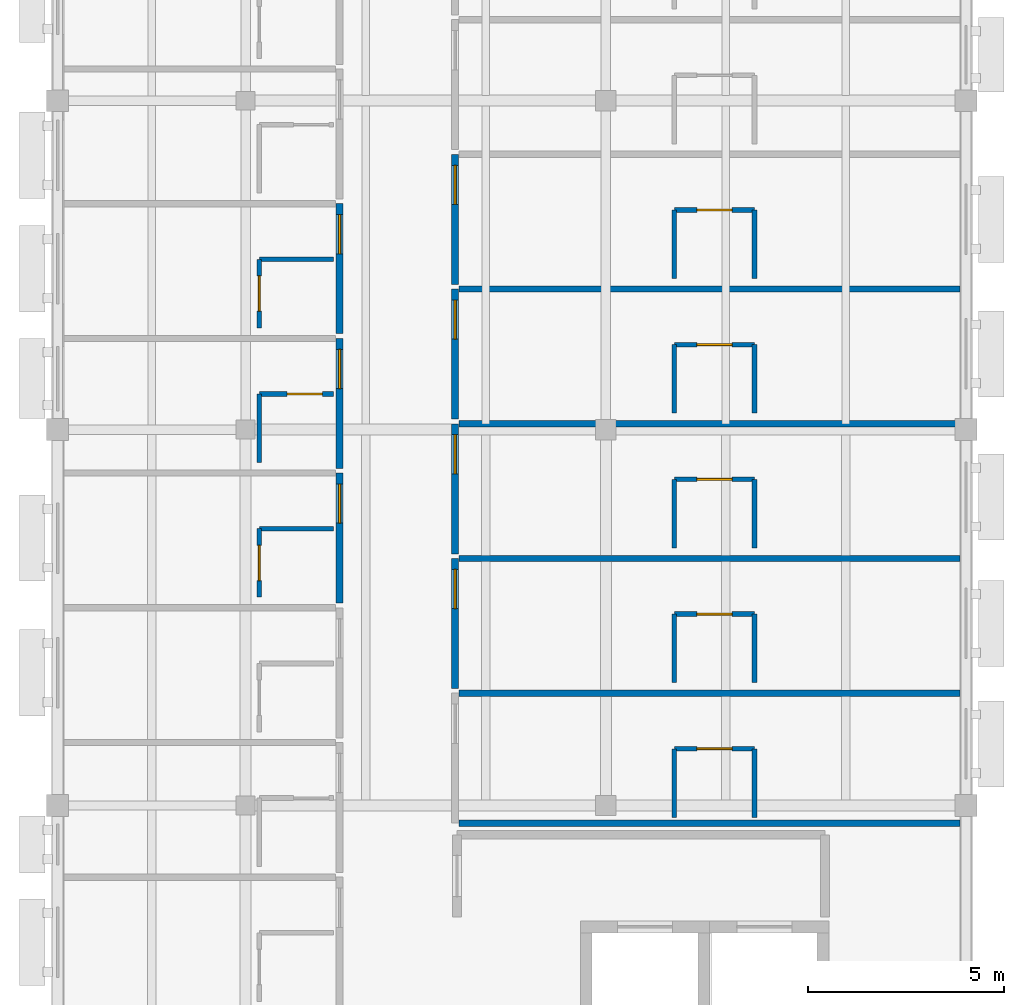
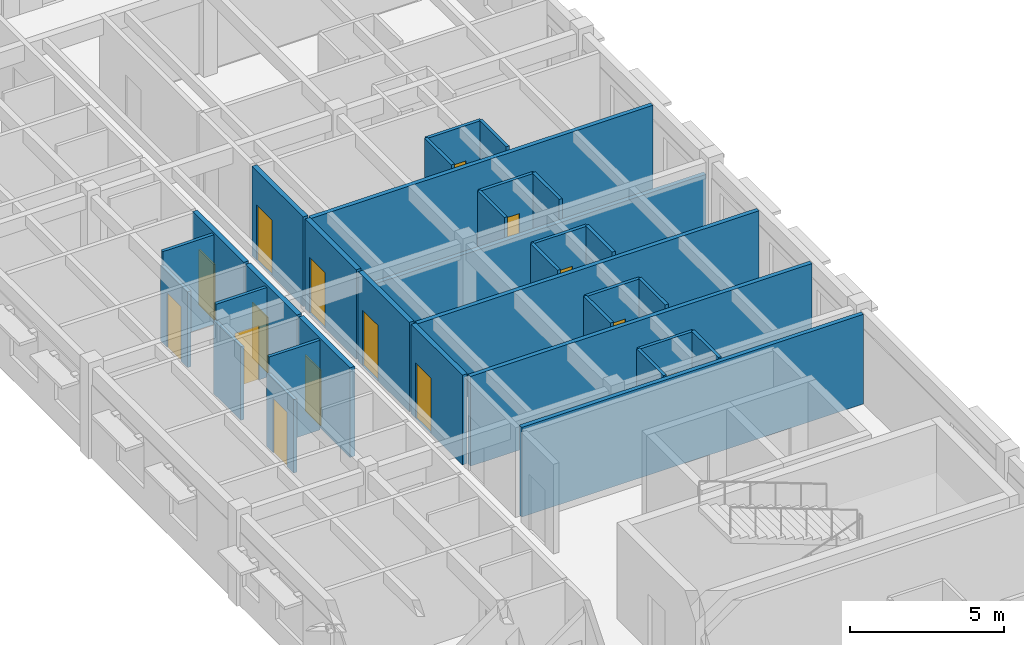
# One storey, part 14 of 31: 33 walls, 15 doors, 15 openings.
"""IFC4 building model written with IfcOpenShell, lengths in metres."""

from ifc_helpers import new_model, si_unit, direction, frame, frame_2d, origin, place, context, subcontext, project, spatial, rectangle, extrude, material, layer, layer_set, type_object, element, fill, save


model = new_model("IFC4")

# Units and contexts
model_context = context("Model", 3, precision=1e-05, world=origin(), true_north=direction((0.0, 1.0)))
body_context = subcontext(model_context, "Body", "Model", "MODEL_VIEW")
ifc_project = project(units=[si_unit("LENGTHUNIT", "METRE"), si_unit("AREAUNIT", "SQUARE_METRE"), si_unit("VOLUMEUNIT", "CUBIC_METRE"), si_unit("PLANEANGLEUNIT", "RADIAN"), si_unit("MASSUNIT", "GRAM", prefix="KILO")], contexts=[model_context])

# Site, building, storey
site_placement = place(None, origin())
site = spatial("IfcSite", under=ifc_project, at=site_placement, CompositionType="ELEMENT")
building_placement = place(site_placement, origin())
building = spatial("IfcBuilding", under=site, at=building_placement, Name="Veldera Park Congress Hotel", CompositionType="ELEMENT")
storey_placement = place(building_placement, frame((0.0, 0.0, 20.0)))
storey = spatial("IfcBuildingStorey", under=building, at=storey_placement, Name="L04", CompositionType="ELEMENT", Elevation=20.0)

# Wall, opening, door
ifc_material_1 = material(Name="Fire-Rated Gypsum Board on Cold-Formed Steel Studs", Category="steel")
ifc_layer_1 = layer(ifc_material_1, 0.1201171875)
ifc_layer_set_1 = layer_set([ifc_layer_1], Name="Fire-Rated Gypsum Board on Cold-Formed Steel Studs")
wall_type_1 = type_object("IfcWallType", Name="IW-BATH120", PredefinedType="PARTITIONING", material=ifc_layer_set_1)
wall_1_placement = place(storey_placement, frame((65.949951171875, 5.919921875, 0.0), z_axis=(0.0, 0.0, 1.0), x_axis=(0.0, 1.0, 0.0)))
wall_1 = element("IfcWall", 1, at=wall_1_placement, inside=storey, type_object=wall_type_1, Name="L04 Partition Wall IW3-L04-00857", PredefinedType="PARTITIONING", context=body_context, shape_type="SweptSolid", body=[
    extrude(rectangle(XDim=1.75, YDim=0.1201171875, at=frame_2d((0.875, 0.0))), origin(), (0.0, 0.0, 1.0), 2.905029296875),
])
opening_1_placement = place(wall_1_placement, frame((0.425048828125, 0.0, 0.0)))
opening_1 = element("IfcOpeningElement", 2, at=opening_1_placement, cuts=wall_1, Name="Opening ID-BATH090", PredefinedType="OPENING", context=body_context, shape_type="SweptSolid", body=[
    extrude(rectangle(XDim=0.89990234375, YDim=2.14990234375, at=frame_2d((0.449951171875, 1.074951171875))), frame((0.0, 0.072021484375, 0.0), z_axis=(0.0, -1.0, 0.0), x_axis=(1.0, 0.0, 0.0)), (0.0, 0.0, 1.0), 0.14404296875),
])
ifc_material_2 = material(Name="Solid Core White Oak Architectural Door", Category="wood")
door_type_1 = type_object("IfcDoorType", Name="ID-BATH090", OperationType="NOTDEFINED", PredefinedType="DOOR", material=ifc_material_2)
door_1_placement = place(opening_1_placement, origin())
door_1 = element("IfcDoor", 3, at=door_1_placement, inside=storey, type_object=door_type_1, Name="L04 En-suite 108 Door ID3-L04-0355 (DR3-ID3-L04-0355)", OperationType="SINGLE_SWING_LEFT", OverallHeight=2.14990234375, OverallWidth=0.89990234375, PredefinedType="DOOR", context=body_context, shape_type="SweptSolid", body=[
    extrude(rectangle(XDim=0.89990234375, YDim=2.14990234375, at=frame_2d((0.449951171875, 1.074951171875))), frame((0.0, 0.02490234375, 0.0), z_axis=(0.0, -1.0, 0.0), x_axis=(1.0, 0.0, 0.0)), (0.0, 0.0, 1.0), 0.050048828125),
])
fill(opening_1, door_1)

# Walls
wall_2_placement = place(storey_placement, frame((65.949951171875, 7.669921875, 0.0), z_axis=(0.0, 0.0, 1.0), x_axis=(1.0, 0.0, 0.0)))
element("IfcWall", 4, at=wall_2_placement, inside=storey, type_object=wall_type_1, Name="L04 Partition Wall IW3-L04-00858", PredefinedType="PARTITIONING", context=body_context, shape_type="SweptSolid", body=[
    extrude(rectangle(XDim=1.900146484375, YDim=0.1201171875, at=frame_2d((0.9501953125, 0.0))), origin(), (0.0, 0.0, 1.0), 3.550048828125),
])
wall_3_placement = place(storey_placement, frame((65.949951171875, 9.360107421875, 0.0), z_axis=(0.0, 0.0, 1.0), x_axis=(0.0, 1.0, 0.0)))
element("IfcWall", 5, at=wall_3_placement, inside=storey, type_object=wall_type_1, Name="L04 Partition Wall IW3-L04-00861", PredefinedType="PARTITIONING", context=body_context, shape_type="SweptSolid", body=[
    extrude(rectangle(XDim=1.75, YDim=0.1201171875, at=frame_2d((0.875, 0.0))), origin(), (0.0, 0.0, 1.0), 2.905029296875),
])

# Wall, opening, door
wall_4_placement = place(storey_placement, frame((65.949951171875, 11.110107421875, 0.0), z_axis=(0.0, 0.0, 1.0), x_axis=(1.0, 0.0, 0.0)))
wall_4 = element("IfcWall", 6, at=wall_4_placement, inside=storey, type_object=wall_type_1, Name="L04 Partition Wall IW3-L04-00862", PredefinedType="PARTITIONING", context=body_context, shape_type="SweptSolid", body=[
    extrude(rectangle(XDim=1.900146484375, YDim=0.1201171875, at=frame_2d((0.9501953125, 0.0))), origin(), (0.0, 0.0, 1.0), 3.550048828125),
])
opening_2_placement = place(wall_4_placement, frame((0.708984375, 0.0, 0.0)))
opening_2 = element("IfcOpeningElement", 7, at=opening_2_placement, cuts=wall_4, Name="Opening ID-BATH090", PredefinedType="OPENING", context=body_context, shape_type="SweptSolid", body=[
    extrude(rectangle(XDim=0.89990234375, YDim=2.14990234375, at=frame_2d((0.449951171875, 1.074951171875))), frame((0.0, 0.072021484375, 0.0), z_axis=(0.0, -1.0, 0.0), x_axis=(1.0, 0.0, 0.0)), (0.0, 0.0, 1.0), 0.14404296875),
])
door_2_placement = place(opening_2_placement, origin())
door_2 = element("IfcDoor", 8, at=door_2_placement, inside=storey, type_object=door_type_1, Name="L04 En-suite 109 Door ID3-L04-0357 (DR3-ID3-L04-0357)", OperationType="SINGLE_SWING_LEFT", OverallHeight=2.14990234375, OverallWidth=0.89990234375, PredefinedType="DOOR", context=body_context, shape_type="SweptSolid", body=[
    extrude(rectangle(XDim=0.89990234375, YDim=2.14990234375, at=frame_2d((0.449951171875, 1.074951171875))), frame((0.0, 0.02490234375, 0.0), z_axis=(0.0, -1.0, 0.0), x_axis=(1.0, 0.0, 0.0)), (0.0, 0.0, 1.0), 0.050048828125),
])
fill(opening_2, door_2)

wall_5_placement = place(storey_placement, frame((65.949951171875, 12.800048828125, 0.0), z_axis=(0.0, 0.0, 1.0), x_axis=(0.0, 1.0, 0.0)))
wall_5 = element("IfcWall", 9, at=wall_5_placement, inside=storey, type_object=wall_type_1, Name="L04 Partition Wall IW3-L04-00865", PredefinedType="PARTITIONING", context=body_context, shape_type="SweptSolid", body=[
    extrude(rectangle(XDim=1.75, YDim=0.1201171875, at=frame_2d((0.875, 0.0))), origin(), (0.0, 0.0, 1.0), 3.0048828125),
])
opening_3_placement = place(wall_5_placement, frame((0.425048828125, 0.0, 0.0)))
opening_3 = element("IfcOpeningElement", 10, at=opening_3_placement, cuts=wall_5, Name="Opening ID-BATH090", PredefinedType="OPENING", context=body_context, shape_type="SweptSolid", body=[
    extrude(rectangle(XDim=0.89990234375, YDim=2.14990234375, at=frame_2d((0.449951171875, 1.074951171875))), frame((0.0, 0.072021484375, 0.0), z_axis=(0.0, -1.0, 0.0), x_axis=(1.0, 0.0, 0.0)), (0.0, 0.0, 1.0), 0.14404296875),
])
door_3_placement = place(opening_3_placement, origin())
door_3 = element("IfcDoor", 11, at=door_3_placement, inside=storey, type_object=door_type_1, Name="L04 En-suite 110 Door ID3-L04-0359 (DR3-ID3-L04-0359)", OperationType="SINGLE_SWING_LEFT", OverallHeight=2.14990234375, OverallWidth=0.89990234375, PredefinedType="DOOR", context=body_context, shape_type="SweptSolid", body=[
    extrude(rectangle(XDim=0.89990234375, YDim=2.14990234375, at=frame_2d((0.449951171875, 1.074951171875))), frame((0.0, 0.02490234375, 0.0), z_axis=(0.0, -1.0, 0.0), x_axis=(1.0, 0.0, 0.0)), (0.0, 0.0, 1.0), 0.050048828125),
])
fill(opening_3, door_3)

# Walls
wall_6_placement = place(storey_placement, frame((65.949951171875, 14.550048828125, 0.0), z_axis=(0.0, 0.0, 1.0), x_axis=(1.0, 0.0, 0.0)))
element("IfcWall", 12, at=wall_6_placement, inside=storey, type_object=wall_type_1, Name="L04 Partition Wall IW3-L04-00866", PredefinedType="PARTITIONING", context=body_context, shape_type="SweptSolid", body=[
    extrude(rectangle(XDim=1.900146484375, YDim=0.1201171875, at=frame_2d((0.9501953125, 0.0))), origin(), (0.0, 0.0, 1.0), 3.550048828125),
])
for number, where, z_axis, x_axis, name in (
    (13, (76.550048828125, 0.300048828125, 0.0), (0.0, 0.0, 1.0), (0.0, 1.0, 0.0), "L04 Partition Wall IW3-L04-00933"),
    (14, (78.60009765625, 0.300048828125, 0.0), (0.0, 0.0, 1.0), (0.0, 1.0, 0.0), "L04 Partition Wall IW3-L04-00934"),
):
    element("IfcWall", number, at=place(storey_placement, frame(where, z_axis=z_axis, x_axis=x_axis)), inside=storey, type_object=wall_type_1, Name=name, PredefinedType="PARTITIONING", context=body_context, shape_type="SweptSolid", body=[
        extrude(rectangle(XDim=1.75, YDim=0.1201171875, at=frame_2d((0.875, 0.0))), origin(), (0.0, 0.0, 1.0), 3.550048828125),
    ])

# Wall, opening, door
wall_7_placement = place(storey_placement, frame((76.550048828125, 2.050048828125, 0.0), z_axis=(0.0, 0.0, 1.0), x_axis=(1.0, 0.0, 0.0)))
wall_7 = element("IfcWall", 15, at=wall_7_placement, inside=storey, type_object=wall_type_1, Name="L04 Partition Wall IW3-L04-00935", PredefinedType="PARTITIONING", context=body_context, shape_type="SweptSolid", body=[
    extrude(rectangle(XDim=2.050048828125, YDim=0.1201171875, at=frame_2d((1.02490234375, 0.0))), origin(), (0.0, 0.0, 1.0), 3.550048828125),
])
opening_4_placement = place(wall_7_placement, frame((0.574951171875, 0.0, 0.0)))
opening_4 = element("IfcOpeningElement", 16, at=opening_4_placement, cuts=wall_7, Name="Opening ID-BATH090", PredefinedType="OPENING", context=body_context, shape_type="SweptSolid", body=[
    extrude(rectangle(XDim=0.89990234375, YDim=2.14990234375, at=frame_2d((0.449951171875, 1.074951171875))), frame((0.0, 0.072021484375, 0.0), z_axis=(0.0, -1.0, 0.0), x_axis=(1.0, 0.0, 0.0)), (0.0, 0.0, 1.0), 0.14404296875),
])
door_4_placement = place(opening_4_placement, origin())
door_4 = element("IfcDoor", 17, at=door_4_placement, inside=storey, type_object=door_type_1, Name="L04 En-suite 124 Door ID3-L04-0387 (DR3-ID3-L04-0387)", OperationType="SINGLE_SWING_LEFT", OverallHeight=2.14990234375, OverallWidth=0.89990234375, PredefinedType="DOOR", context=body_context, shape_type="SweptSolid", body=[
    extrude(rectangle(XDim=0.89990234375, YDim=2.14990234375, at=frame_2d((0.449951171875, 1.074951171875))), frame((0.0, 0.02490234375, 0.0), z_axis=(0.0, -1.0, 0.0), x_axis=(1.0, 0.0, 0.0)), (0.0, 0.0, 1.0), 0.050048828125),
])
fill(opening_4, door_4)

# Walls
for number, where, z_axis, x_axis, name in (
    (18, (76.550048828125, 3.739990234375, 0.0), (0.0, 0.0, 1.0), (0.0, 1.0, 0.0), "L04 Partition Wall IW3-L04-00938"),
    (19, (78.60009765625, 3.739990234375, 0.0), (0.0, 0.0, 1.0), (0.0, 1.0, 0.0), "L04 Partition Wall IW3-L04-00939"),
):
    element("IfcWall", number, at=place(storey_placement, frame(where, z_axis=z_axis, x_axis=x_axis)), inside=storey, type_object=wall_type_1, Name=name, PredefinedType="PARTITIONING", context=body_context, shape_type="SweptSolid", body=[
        extrude(rectangle(XDim=1.75, YDim=0.1201171875, at=frame_2d((0.875, 0.0))), origin(), (0.0, 0.0, 1.0), 3.550048828125),
    ])

# Wall, opening, door
wall_8_placement = place(storey_placement, frame((76.550048828125, 5.489990234375, 0.0), z_axis=(0.0, 0.0, 1.0), x_axis=(1.0, 0.0, 0.0)))
wall_8 = element("IfcWall", 20, at=wall_8_placement, inside=storey, type_object=wall_type_1, Name="L04 Partition Wall IW3-L04-00940", PredefinedType="PARTITIONING", context=body_context, shape_type="SweptSolid", body=[
    extrude(rectangle(XDim=2.050048828125, YDim=0.1201171875, at=frame_2d((1.02490234375, 0.0))), origin(), (0.0, 0.0, 1.0), 3.550048828125),
])
opening_5_placement = place(wall_8_placement, frame((0.574951171875, 0.0, 0.0)))
opening_5 = element("IfcOpeningElement", 21, at=opening_5_placement, cuts=wall_8, Name="Opening ID-BATH090", PredefinedType="OPENING", context=body_context, shape_type="SweptSolid", body=[
    extrude(rectangle(XDim=0.89990234375, YDim=2.14990234375, at=frame_2d((0.449951171875, 1.074951171875))), frame((0.0, 0.072021484375, 0.0), z_axis=(0.0, -1.0, 0.0), x_axis=(1.0, 0.0, 0.0)), (0.0, 0.0, 1.0), 0.14404296875),
])
door_5_placement = place(opening_5_placement, origin())
door_5 = element("IfcDoor", 22, at=door_5_placement, inside=storey, type_object=door_type_1, Name="L04 En-suite 125 Door ID3-L04-0389 (DR3-ID3-L04-0389)", OperationType="SINGLE_SWING_LEFT", OverallHeight=2.14990234375, OverallWidth=0.89990234375, PredefinedType="DOOR", context=body_context, shape_type="SweptSolid", body=[
    extrude(rectangle(XDim=0.89990234375, YDim=2.14990234375, at=frame_2d((0.449951171875, 1.074951171875))), frame((0.0, 0.02490234375, 0.0), z_axis=(0.0, -1.0, 0.0), x_axis=(1.0, 0.0, 0.0)), (0.0, 0.0, 1.0), 0.050048828125),
])
fill(opening_5, door_5)

# Walls
for number, where, z_axis, x_axis, name in (
    (23, (76.550048828125, 7.179931640625, 0.0), (0.0, 0.0, 1.0), (0.0, 1.0, 0.0), "L04 Partition Wall IW3-L04-00943"),
    (24, (78.60009765625, 7.179931640625, 0.0), (0.0, 0.0, 1.0), (0.0, 1.0, 0.0), "L04 Partition Wall IW3-L04-00944"),
):
    element("IfcWall", number, at=place(storey_placement, frame(where, z_axis=z_axis, x_axis=x_axis)), inside=storey, type_object=wall_type_1, Name=name, PredefinedType="PARTITIONING", context=body_context, shape_type="SweptSolid", body=[
        extrude(rectangle(XDim=1.75, YDim=0.1201171875, at=frame_2d((0.875, 0.0))), origin(), (0.0, 0.0, 1.0), 3.550048828125),
    ])

# Wall, opening, door
wall_9_placement = place(storey_placement, frame((76.550048828125, 8.929931640625, 0.0), z_axis=(0.0, 0.0, 1.0), x_axis=(1.0, 0.0, 0.0)))
wall_9 = element("IfcWall", 25, at=wall_9_placement, inside=storey, type_object=wall_type_1, Name="L04 Partition Wall IW3-L04-00945", PredefinedType="PARTITIONING", context=body_context, shape_type="SweptSolid", body=[
    extrude(rectangle(XDim=2.050048828125, YDim=0.1201171875, at=frame_2d((1.02490234375, 0.0))), origin(), (0.0, 0.0, 1.0), 3.550048828125),
])
opening_6_placement = place(wall_9_placement, frame((0.574951171875, 0.0, 0.0)))
opening_6 = element("IfcOpeningElement", 26, at=opening_6_placement, cuts=wall_9, Name="Opening ID-BATH090", PredefinedType="OPENING", context=body_context, shape_type="SweptSolid", body=[
    extrude(rectangle(XDim=0.89990234375, YDim=2.14990234375, at=frame_2d((0.449951171875, 1.074951171875))), frame((0.0, 0.072021484375, 0.0), z_axis=(0.0, -1.0, 0.0), x_axis=(1.0, 0.0, 0.0)), (0.0, 0.0, 1.0), 0.14404296875),
])
door_6_placement = place(opening_6_placement, origin())
door_6 = element("IfcDoor", 27, at=door_6_placement, inside=storey, type_object=door_type_1, Name="L04 En-suite 126 Door ID3-L04-0391 (DR3-ID3-L04-0391)", OperationType="SINGLE_SWING_LEFT", OverallHeight=2.14990234375, OverallWidth=0.89990234375, PredefinedType="DOOR", context=body_context, shape_type="SweptSolid", body=[
    extrude(rectangle(XDim=0.89990234375, YDim=2.14990234375, at=frame_2d((0.449951171875, 1.074951171875))), frame((0.0, 0.02490234375, 0.0), z_axis=(0.0, -1.0, 0.0), x_axis=(1.0, 0.0, 0.0)), (0.0, 0.0, 1.0), 0.050048828125),
])
fill(opening_6, door_6)

# Walls
for number, where, z_axis, x_axis, name in (
    (28, (76.550048828125, 10.6201171875, 0.0), (0.0, 0.0, 1.0), (0.0, 1.0, 0.0), "L04 Partition Wall IW3-L04-00948"),
    (29, (78.60009765625, 10.6201171875, 0.0), (0.0, 0.0, 1.0), (0.0, 1.0, 0.0), "L04 Partition Wall IW3-L04-00949"),
):
    element("IfcWall", number, at=place(storey_placement, frame(where, z_axis=z_axis, x_axis=x_axis)), inside=storey, type_object=wall_type_1, Name=name, PredefinedType="PARTITIONING", context=body_context, shape_type="SweptSolid", body=[
        extrude(rectangle(XDim=1.75, YDim=0.1201171875, at=frame_2d((0.875, 0.0))), origin(), (0.0, 0.0, 1.0), 3.550048828125),
    ])

# Wall, opening, door
wall_10_placement = place(storey_placement, frame((76.550048828125, 12.3701171875, 0.0), z_axis=(0.0, 0.0, 1.0), x_axis=(1.0, 0.0, 0.0)))
wall_10 = element("IfcWall", 30, at=wall_10_placement, inside=storey, type_object=wall_type_1, Name="L04 Partition Wall IW3-L04-00950", PredefinedType="PARTITIONING", context=body_context, shape_type="SweptSolid", body=[
    extrude(rectangle(XDim=2.050048828125, YDim=0.1201171875, at=frame_2d((1.02490234375, 0.0))), origin(), (0.0, 0.0, 1.0), 3.550048828125),
])
opening_7_placement = place(wall_10_placement, frame((0.574951171875, 0.0, 0.0)))
opening_7 = element("IfcOpeningElement", 31, at=opening_7_placement, cuts=wall_10, Name="Opening ID-BATH090", PredefinedType="OPENING", context=body_context, shape_type="SweptSolid", body=[
    extrude(rectangle(XDim=0.89990234375, YDim=2.14990234375, at=frame_2d((0.449951171875, 1.074951171875))), frame((0.0, 0.072021484375, 0.0), z_axis=(0.0, -1.0, 0.0), x_axis=(1.0, 0.0, 0.0)), (0.0, 0.0, 1.0), 0.14404296875),
])
door_7_placement = place(opening_7_placement, origin())
door_7 = element("IfcDoor", 32, at=door_7_placement, inside=storey, type_object=door_type_1, Name="L04 En-suite 127 Door ID3-L04-0393 (DR3-ID3-L04-0393)", OperationType="SINGLE_SWING_LEFT", OverallHeight=2.14990234375, OverallWidth=0.89990234375, PredefinedType="DOOR", context=body_context, shape_type="SweptSolid", body=[
    extrude(rectangle(XDim=0.89990234375, YDim=2.14990234375, at=frame_2d((0.449951171875, 1.074951171875))), frame((0.0, 0.02490234375, 0.0), z_axis=(0.0, -1.0, 0.0), x_axis=(1.0, 0.0, 0.0)), (0.0, 0.0, 1.0), 0.050048828125),
])
fill(opening_7, door_7)

# Walls
for number, where, z_axis, x_axis, name in (
    (33, (76.550048828125, 14.06005859375, 0.0), (0.0, 0.0, 1.0), (0.0, 1.0, 0.0), "L04 Partition Wall IW3-L04-00953"),
    (34, (78.60009765625, 14.06005859375, 0.0), (0.0, 0.0, 1.0), (0.0, 1.0, 0.0), "L04 Partition Wall IW3-L04-00954"),
):
    element("IfcWall", number, at=place(storey_placement, frame(where, z_axis=z_axis, x_axis=x_axis)), inside=storey, type_object=wall_type_1, Name=name, PredefinedType="PARTITIONING", context=body_context, shape_type="SweptSolid", body=[
        extrude(rectangle(XDim=1.75, YDim=0.1201171875, at=frame_2d((0.875, 0.0))), origin(), (0.0, 0.0, 1.0), 3.550048828125),
    ])

# Wall, opening, door
wall_11_placement = place(storey_placement, frame((76.550048828125, 15.81005859375, 0.0), z_axis=(0.0, 0.0, 1.0), x_axis=(1.0, 0.0, 0.0)))
wall_11 = element("IfcWall", 35, at=wall_11_placement, inside=storey, type_object=wall_type_1, Name="L04 Partition Wall IW3-L04-00955", PredefinedType="PARTITIONING", context=body_context, shape_type="SweptSolid", body=[
    extrude(rectangle(XDim=2.050048828125, YDim=0.1201171875, at=frame_2d((1.02490234375, 0.0))), origin(), (0.0, 0.0, 1.0), 3.550048828125),
])
opening_8_placement = place(wall_11_placement, frame((0.574951171875, 0.0, 0.0)))
opening_8 = element("IfcOpeningElement", 36, at=opening_8_placement, cuts=wall_11, Name="Opening ID-BATH090", PredefinedType="OPENING", context=body_context, shape_type="SweptSolid", body=[
    extrude(rectangle(XDim=0.89990234375, YDim=2.14990234375, at=frame_2d((0.449951171875, 1.074951171875))), frame((0.0, 0.072021484375, 0.0), z_axis=(0.0, -1.0, 0.0), x_axis=(1.0, 0.0, 0.0)), (0.0, 0.0, 1.0), 0.14404296875),
])
door_8_placement = place(opening_8_placement, origin())
door_8 = element("IfcDoor", 37, at=door_8_placement, inside=storey, type_object=door_type_1, Name="L04 En-suite 128 Door ID3-L04-0395 (DR3-ID3-L04-0395)", OperationType="SINGLE_SWING_LEFT", OverallHeight=2.14990234375, OverallWidth=0.89990234375, PredefinedType="DOOR", context=body_context, shape_type="SweptSolid", body=[
    extrude(rectangle(XDim=0.89990234375, YDim=2.14990234375, at=frame_2d((0.449951171875, 1.074951171875))), frame((0.0, 0.02490234375, 0.0), z_axis=(0.0, -1.0, 0.0), x_axis=(1.0, 0.0, 0.0)), (0.0, 0.0, 1.0), 0.050048828125),
])
fill(opening_8, door_8)

ifc_layer_2 = layer(ifc_material_1, 0.179931640625)
ifc_layer_set_2 = layer_set([ifc_layer_2], Name="Fire-Rated Gypsum Board on Cold-Formed Steel Studs")
wall_type_2 = type_object("IfcWallType", Name="IW-CORR180", PredefinedType="PARTITIONING", material=ifc_layer_set_2)
wall_12_placement = place(storey_placement, frame((68.0, 5.77001953125, 0.0), z_axis=(0.0, 0.0, 1.0), x_axis=(0.0, 1.0, 0.0)))
wall_12 = element("IfcWall", 38, at=wall_12_placement, inside=storey, type_object=wall_type_2, Name="L04 Corridor Wall IW3-L04-00855", PredefinedType="PARTITIONING", context=body_context, shape_type="SweptSolid", body=[
    extrude(rectangle(XDim=3.320068359375, YDim=0.179931640625, at=frame_2d((1.66015625, 0.0))), origin(), (0.0, 0.0, 1.0), 3.550048828125),
])
opening_9_placement = place(wall_12_placement, frame((2.0400390625, 0.0, 0.0)))
opening_9 = element("IfcOpeningElement", 39, at=opening_9_placement, cuts=wall_12, Name="Opening ID-UNIT100", PredefinedType="OPENING", context=body_context, shape_type="SweptSolid", body=[
    extrude(rectangle(XDim=1.0, YDim=2.199951171875, at=frame_2d((0.5, 1.10009765625))), frame((0.0, 0.10205078125, 0.0), z_axis=(0.0, -1.0, 0.0), x_axis=(1.0, 0.0, 0.0)), (0.0, 0.0, 1.0), 0.203857421875),
])
door_type_2 = type_object("IfcDoorType", Name="ID-UNIT100", OperationType="NOTDEFINED", PredefinedType="DOOR", material=ifc_material_2)
door_9_placement = place(opening_9_placement, origin())
door_9 = element("IfcDoor", 40, at=door_9_placement, inside=storey, type_object=door_type_2, Name="L04 Guestroom 108 Entry Door (DR3-UD3-L04-108)", OperationType="SINGLE_SWING_RIGHT", OverallHeight=2.199951171875, OverallWidth=1.0, PredefinedType="DOOR", context=body_context, shape_type="SweptSolid", body=[
    extrude(rectangle(XDim=1.0, YDim=2.199951171875, at=frame_2d((0.5, 1.10009765625))), frame((0.0, 0.02490234375, 0.0), z_axis=(0.0, -1.0, 0.0), x_axis=(1.0, 0.0, 0.0)), (0.0, 0.0, 1.0), 0.050048828125),
])
fill(opening_9, door_9)

wall_13_placement = place(storey_placement, frame((68.0, 9.2099609375, 0.0), z_axis=(0.0, 0.0, 1.0), x_axis=(0.0, 1.0, 0.0)))
wall_13 = element("IfcWall", 41, at=wall_13_placement, inside=storey, type_object=wall_type_2, Name="L04 Corridor Wall IW3-L04-00859", PredefinedType="PARTITIONING", context=body_context, shape_type="SweptSolid", body=[
    extrude(rectangle(XDim=3.320068359375, YDim=0.179931640625, at=frame_2d((1.66015625, 0.0))), origin(), (0.0, 0.0, 1.0), 3.550048828125),
])
opening_10_placement = place(wall_13_placement, frame((2.0400390625, 0.0, 0.0)))
opening_10 = element("IfcOpeningElement", 42, at=opening_10_placement, cuts=wall_13, Name="Opening ID-UNIT100", PredefinedType="OPENING", context=body_context, shape_type="SweptSolid", body=[
    extrude(rectangle(XDim=1.0, YDim=2.199951171875, at=frame_2d((0.5, 1.10009765625))), frame((0.0, 0.10205078125, 0.0), z_axis=(0.0, -1.0, 0.0), x_axis=(1.0, 0.0, 0.0)), (0.0, 0.0, 1.0), 0.203857421875),
])
door_10_placement = place(opening_10_placement, origin())
door_10 = element("IfcDoor", 43, at=door_10_placement, inside=storey, type_object=door_type_2, Name="L04 Guestroom 109 Entry Door (DR3-UD3-L04-109)", OperationType="SINGLE_SWING_RIGHT", OverallHeight=2.199951171875, OverallWidth=1.0, PredefinedType="DOOR", context=body_context, shape_type="SweptSolid", body=[
    extrude(rectangle(XDim=1.0, YDim=2.199951171875, at=frame_2d((0.5, 1.10009765625))), frame((0.0, 0.02490234375, 0.0), z_axis=(0.0, -1.0, 0.0), x_axis=(1.0, 0.0, 0.0)), (0.0, 0.0, 1.0), 0.050048828125),
])
fill(opening_10, door_10)

wall_14_placement = place(storey_placement, frame((68.0, 12.64990234375, 0.0), z_axis=(0.0, 0.0, 1.0), x_axis=(0.0, 1.0, 0.0)))
wall_14 = element("IfcWall", 44, at=wall_14_placement, inside=storey, type_object=wall_type_2, Name="L04 Corridor Wall IW3-L04-00863", PredefinedType="PARTITIONING", context=body_context, shape_type="SweptSolid", body=[
    extrude(rectangle(XDim=3.320068359375, YDim=0.179931640625, at=frame_2d((1.66015625, 0.0))), origin(), (0.0, 0.0, 1.0), 3.550048828125),
])
opening_11_placement = place(wall_14_placement, frame((2.0400390625, 0.0, 0.0)))
opening_11 = element("IfcOpeningElement", 45, at=opening_11_placement, cuts=wall_14, Name="Opening ID-UNIT100", PredefinedType="OPENING", context=body_context, shape_type="SweptSolid", body=[
    extrude(rectangle(XDim=1.0, YDim=2.199951171875, at=frame_2d((0.5, 1.10009765625))), frame((0.0, 0.10205078125, 0.0), z_axis=(0.0, -1.0, 0.0), x_axis=(1.0, 0.0, 0.0)), (0.0, 0.0, 1.0), 0.203857421875),
])
door_11_placement = place(opening_11_placement, origin())
door_11 = element("IfcDoor", 46, at=door_11_placement, inside=storey, type_object=door_type_2, Name="L04 Guestroom 110 Entry Door (DR3-UD3-L04-110)", OperationType="SINGLE_SWING_RIGHT", OverallHeight=2.199951171875, OverallWidth=1.0, PredefinedType="DOOR", context=body_context, shape_type="SweptSolid", body=[
    extrude(rectangle(XDim=1.0, YDim=2.199951171875, at=frame_2d((0.5, 1.10009765625))), frame((0.0, 0.02490234375, 0.0), z_axis=(0.0, -1.0, 0.0), x_axis=(1.0, 0.0, 0.0)), (0.0, 0.0, 1.0), 0.050048828125),
])
fill(opening_11, door_11)

wall_15_placement = place(storey_placement, frame((70.949951171875, 6.909912109375, 0.0), z_axis=(0.0, 0.0, 1.0), x_axis=(0.0, -1.0, 0.0)))
wall_15 = element("IfcWall", 47, at=wall_15_placement, inside=storey, type_object=wall_type_2, Name="L04 Corridor Wall IW3-L04-00936", PredefinedType="PARTITIONING", context=body_context, shape_type="SweptSolid", body=[
    extrude(rectangle(XDim=3.31982421875, YDim=0.179931640625, at=frame_2d((1.659912109375, 0.0))), origin(), (0.0, 0.0, 1.0), 3.550048828125),
])
opening_12_placement = place(wall_15_placement, frame((0.280029296875, 0.0, 0.0)))
opening_12 = element("IfcOpeningElement", 48, at=opening_12_placement, cuts=wall_15, Name="Opening ID-UNIT100", PredefinedType="OPENING", context=body_context, shape_type="SweptSolid", body=[
    extrude(rectangle(XDim=1.0, YDim=2.199951171875, at=frame_2d((0.5, 1.10009765625))), frame((0.0, 0.10205078125, 0.0), z_axis=(0.0, -1.0, 0.0), x_axis=(1.0, 0.0, 0.0)), (0.0, 0.0, 1.0), 0.203857421875),
])
door_12_placement = place(opening_12_placement, origin())
door_12 = element("IfcDoor", 49, at=door_12_placement, inside=storey, type_object=door_type_2, Name="L04 Guestroom 125 Entry Door (DR3-UD3-L04-125)", OperationType="SINGLE_SWING_RIGHT", OverallHeight=2.199951171875, OverallWidth=1.0, PredefinedType="DOOR", context=body_context, shape_type="SweptSolid", body=[
    extrude(rectangle(XDim=1.0, YDim=2.199951171875, at=frame_2d((0.5, 1.10009765625))), frame((0.0, 0.02490234375, 0.0), z_axis=(0.0, -1.0, 0.0), x_axis=(1.0, 0.0, 0.0)), (0.0, 0.0, 1.0), 0.050048828125),
])
fill(opening_12, door_12)

wall_16_placement = place(storey_placement, frame((70.949951171875, 10.35009765625, 0.0), z_axis=(0.0, 0.0, 1.0), x_axis=(0.0, -1.0, 0.0)))
wall_16 = element("IfcWall", 50, at=wall_16_placement, inside=storey, type_object=wall_type_2, Name="L04 Corridor Wall IW3-L04-00941", PredefinedType="PARTITIONING", context=body_context, shape_type="SweptSolid", body=[
    extrude(rectangle(XDim=3.320068359375, YDim=0.179931640625, at=frame_2d((1.66015625, 0.0))), origin(), (0.0, 0.0, 1.0), 3.550048828125),
])
opening_13_placement = place(wall_16_placement, frame((0.280029296875, 0.0, 0.0)))
opening_13 = element("IfcOpeningElement", 51, at=opening_13_placement, cuts=wall_16, Name="Opening ID-UNIT100", PredefinedType="OPENING", context=body_context, shape_type="SweptSolid", body=[
    extrude(rectangle(XDim=1.0, YDim=2.199951171875, at=frame_2d((0.5, 1.10009765625))), frame((0.0, 0.10205078125, 0.0), z_axis=(0.0, -1.0, 0.0), x_axis=(1.0, 0.0, 0.0)), (0.0, 0.0, 1.0), 0.203857421875),
])
door_13_placement = place(opening_13_placement, origin())
door_13 = element("IfcDoor", 52, at=door_13_placement, inside=storey, type_object=door_type_2, Name="L04 Guestroom 126 Entry Door (DR3-UD3-L04-126)", OperationType="SINGLE_SWING_RIGHT", OverallHeight=2.199951171875, OverallWidth=1.0, PredefinedType="DOOR", context=body_context, shape_type="SweptSolid", body=[
    extrude(rectangle(XDim=1.0, YDim=2.199951171875, at=frame_2d((0.5, 1.10009765625))), frame((0.0, 0.02490234375, 0.0), z_axis=(0.0, -1.0, 0.0), x_axis=(1.0, 0.0, 0.0)), (0.0, 0.0, 1.0), 0.050048828125),
])
fill(opening_13, door_13)

wall_17_placement = place(storey_placement, frame((70.949951171875, 13.7900390625, 0.0), z_axis=(0.0, 0.0, 1.0), x_axis=(0.0, -1.0, 0.0)))
wall_17 = element("IfcWall", 53, at=wall_17_placement, inside=storey, type_object=wall_type_2, Name="L04 Corridor Wall IW3-L04-00946", PredefinedType="PARTITIONING", context=body_context, shape_type="SweptSolid", body=[
    extrude(rectangle(XDim=3.320068359375, YDim=0.179931640625, at=frame_2d((1.66015625, 0.0))), origin(), (0.0, 0.0, 1.0), 3.550048828125),
])
opening_14_placement = place(wall_17_placement, frame((0.280029296875, 0.0, 0.0)))
opening_14 = element("IfcOpeningElement", 54, at=opening_14_placement, cuts=wall_17, Name="Opening ID-UNIT100", PredefinedType="OPENING", context=body_context, shape_type="SweptSolid", body=[
    extrude(rectangle(XDim=1.0, YDim=2.199951171875, at=frame_2d((0.5, 1.10009765625))), frame((0.0, 0.10205078125, 0.0), z_axis=(0.0, -1.0, 0.0), x_axis=(1.0, 0.0, 0.0)), (0.0, 0.0, 1.0), 0.203857421875),
])
door_14_placement = place(opening_14_placement, origin())
door_14 = element("IfcDoor", 55, at=door_14_placement, inside=storey, type_object=door_type_2, Name="L04 Guestroom 127 Entry Door (DR3-UD3-L04-127)", OperationType="SINGLE_SWING_RIGHT", OverallHeight=2.199951171875, OverallWidth=1.0, PredefinedType="DOOR", context=body_context, shape_type="SweptSolid", body=[
    extrude(rectangle(XDim=1.0, YDim=2.199951171875, at=frame_2d((0.5, 1.10009765625))), frame((0.0, 0.02490234375, 0.0), z_axis=(0.0, -1.0, 0.0), x_axis=(1.0, 0.0, 0.0)), (0.0, 0.0, 1.0), 0.050048828125),
])
fill(opening_14, door_14)

wall_18_placement = place(storey_placement, frame((70.949951171875, 17.22998046875, 0.0), z_axis=(0.0, 0.0, 1.0), x_axis=(0.0, -1.0, 0.0)))
wall_18 = element("IfcWall", 56, at=wall_18_placement, inside=storey, type_object=wall_type_2, Name="L04 Corridor Wall IW3-L04-00951", PredefinedType="PARTITIONING", context=body_context, shape_type="SweptSolid", body=[
    extrude(rectangle(XDim=3.320068359375, YDim=0.179931640625, at=frame_2d((1.66015625, 0.0))), origin(), (0.0, 0.0, 1.0), 3.550048828125),
])
opening_15_placement = place(wall_18_placement, frame((0.280029296875, 0.0, 0.0)))
opening_15 = element("IfcOpeningElement", 57, at=opening_15_placement, cuts=wall_18, Name="Opening ID-UNIT100", PredefinedType="OPENING", context=body_context, shape_type="SweptSolid", body=[
    extrude(rectangle(XDim=1.0, YDim=2.199951171875, at=frame_2d((0.5, 1.10009765625))), frame((0.0, 0.10205078125, 0.0), z_axis=(0.0, -1.0, 0.0), x_axis=(1.0, 0.0, 0.0)), (0.0, 0.0, 1.0), 0.203857421875),
])
door_15_placement = place(opening_15_placement, origin())
door_15 = element("IfcDoor", 58, at=door_15_placement, inside=storey, type_object=door_type_2, Name="L04 Guestroom 128 Entry Door (DR3-UD3-L04-128)", OperationType="SINGLE_SWING_RIGHT", OverallHeight=2.199951171875, OverallWidth=1.0, PredefinedType="DOOR", context=body_context, shape_type="SweptSolid", body=[
    extrude(rectangle(XDim=1.0, YDim=2.199951171875, at=frame_2d((0.5, 1.10009765625))), frame((0.0, 0.02490234375, 0.0), z_axis=(0.0, -1.0, 0.0), x_axis=(1.0, 0.0, 0.0)), (0.0, 0.0, 1.0), 0.050048828125),
])
fill(opening_15, door_15)

# Walls
ifc_material_3 = material(Name="Cross-laminated timber CLT V2M1.1", Category="wood")
ifc_layer_3 = layer(ifc_material_3, 0.159912109375)
ifc_layer_set_3 = layer_set([ifc_layer_3], Name="Cross-laminated timber CLT V2M1.1")
wall_type_3 = type_object("IfcWallType", Name="IW-UNIT160", PredefinedType="PARTITIONING", material=ifc_layer_set_3)
for number, where, z_axis, x_axis, name in (
    (59, (71.050048828125, 0.14990234375, 0.0), (0.0, 0.0, 1.0), (1.0, 0.0, 0.0), "L04 Partition Wall IW3-L04-00931"),
    (60, (71.050048828125, 3.469970703125, 0.0), (0.0, 0.0, 1.0), (1.0, 0.0, 0.0), "L04 Partition Wall IW3-L04-00932"),
    (61, (71.050048828125, 6.909912109375, 0.0), (0.0, 0.0, 1.0), (1.0, 0.0, 0.0), "L04 Partition Wall IW3-L04-00937"),
):
    element("IfcWall", number, at=place(storey_placement, frame(where, z_axis=z_axis, x_axis=x_axis)), inside=storey, type_object=wall_type_3, Name=name, PredefinedType="PARTITIONING", context=body_context, shape_type="SweptSolid", body=[
        extrude(rectangle(XDim=12.7900390625, YDim=0.159912109375, at=frame_2d((6.39501953125, 0.0))), origin(), (0.0, 0.0, 1.0), 3.550048828125),
    ])
wall_19_placement = place(storey_placement, frame((71.050048828125, 10.35009765625, 0.0), z_axis=(0.0, 0.0, 1.0), x_axis=(1.0, 0.0, 0.0)))
element("IfcWall", 62, at=wall_19_placement, inside=storey, type_object=wall_type_3, Name="L04 Partition Wall IW3-L04-00942", PredefinedType="PARTITIONING", context=body_context, shape_type="SweptSolid", body=[
    extrude(rectangle(XDim=12.7900390625, YDim=0.159912109375, at=frame_2d((6.39501953125, 0.0))), origin(), (0.0, 0.0, 1.0), 2.905029296875),
])
wall_20_placement = place(storey_placement, frame((71.050048828125, 13.7900390625, 0.0), z_axis=(0.0, 0.0, 1.0), x_axis=(1.0, 0.0, 0.0)))
element("IfcWall", 63, at=wall_20_placement, inside=storey, type_object=wall_type_3, Name="L04 Partition Wall IW3-L04-00947", PredefinedType="PARTITIONING", context=body_context, shape_type="SweptSolid", body=[
    extrude(rectangle(XDim=12.7900390625, YDim=0.159912109375, at=frame_2d((6.39501953125, 0.0))), origin(), (0.0, 0.0, 1.0), 3.550048828125),
])

save(model, "model.ifc")
